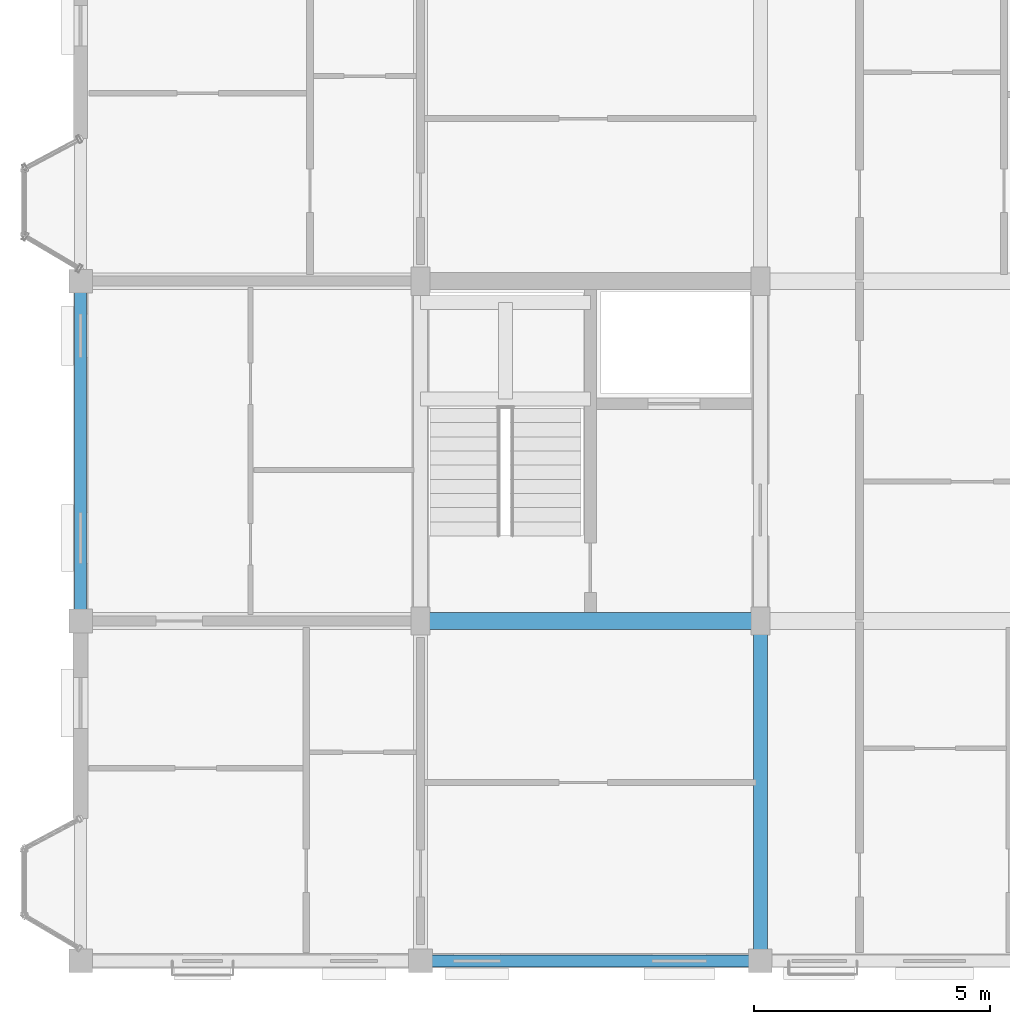
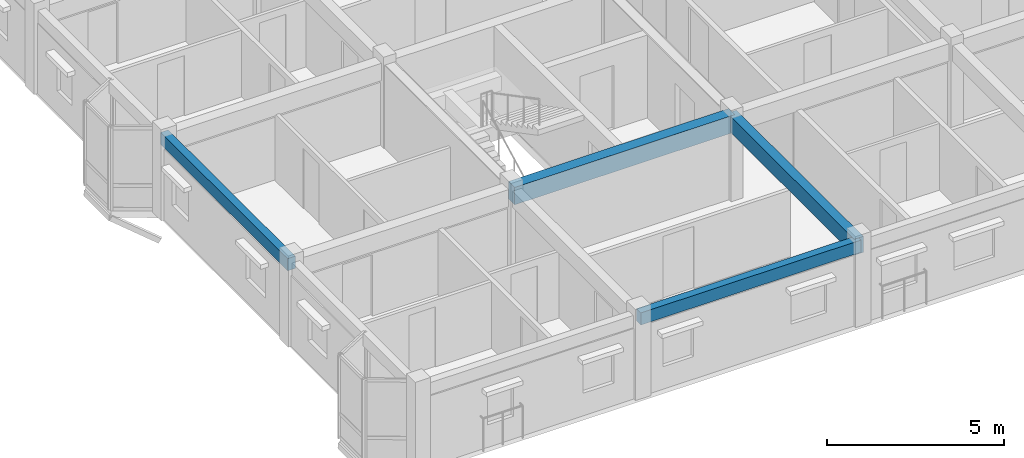
# One storey, part 4 of 64: 4 beams.
"""IFC4 building model written with IfcOpenShell, lengths in metres."""

import ifcopenshell
import ifcopenshell.guid

model = None  # the IFC model being written
_history = None  # IfcOwnerHistory: only IFC2X3 demands one
_inside = {}  # id of a spatial element -> (the spatial element, [elements in it])
_under = {}  # id of a project, library or spatial element -> (it, [spatial elements below it])
_declared = {}  # id of a project -> (the project, [libraries it declares])
_typed = {}  # id of a type object -> (the type object, [elements of that type])
_made_of = {}  # id of a material, layer set ... -> (it, [elements and type objects made of it])


def new_model(schema):
    """Start an empty IFC model of exactly this schema.

    Asked for "IFC4X3", IfcOpenShell would pick the latest addendum, in which some entities
    have other attributes; the version numbers below select the first issue.
    IFC2X3 requires an IfcOwnerHistory on every rooted entity: one is made here for all.
    """
    global model, _history
    if schema == "IFC4X3":
        model = ifcopenshell.file(schema_version=(4, 3, 0, 0))
    else:
        model = ifcopenshell.file(schema=schema)
    _inside.clear()
    _under.clear()
    _declared.clear()
    _typed.clear()
    _made_of.clear()
    _history = None
    if model.schema == "IFC2X3":
        org = make("IfcOrganization", Name="unknown")
        user = make(
            "IfcPersonAndOrganization",
            ThePerson=make("IfcPerson", FamilyName="unknown"),
            TheOrganization=org,
        )
        app = make(
            "IfcApplication",
            ApplicationDeveloper=org,
            Version="unknown",
            ApplicationFullName="unknown",
            ApplicationIdentifier="unknown",
        )
        _history = make(
            "IfcOwnerHistory",
            OwningUser=user,
            OwningApplication=app,
            ChangeAction="ADDED",
            CreationDate=0,
        )
    return model


def make(cls, **values):
    """One entity of the class cls with the attributes given. An attribute that is None is left unset."""
    return model.create_entity(
        cls, **{name: value for name, value in values.items() if value is not None}
    )


def rooted(cls, **values):
    """An entity with a GlobalId (a new one), such as an element, a storey or a relation."""
    return make(cls, GlobalId=ifcopenshell.guid.new(), OwnerHistory=_history, **values)


def si_unit(unit_type, name, prefix=None):
    """IfcSIUnit, for example si_unit("LENGTHUNIT", "METRE", prefix="MILLI")."""
    return make("IfcSIUnit", UnitType=unit_type, Prefix=prefix, Name=name)


def assignment(units):
    """IfcUnitAssignment: the units of a project."""
    return None if units is None else make("IfcUnitAssignment", Units=units)


def point(xyz):
    """IfcCartesianPoint."""
    return None if xyz is None else make("IfcCartesianPoint", Coordinates=xyz)


def direction(xyz):
    """IfcDirection."""
    return None if xyz is None else make("IfcDirection", DirectionRatios=xyz)


def frame(location, z_axis=None, x_axis=None):
    """IfcAxis2Placement3D, a coordinate frame: its origin and axes. An axis left out is left unset."""
    return make(
        "IfcAxis2Placement3D",
        Location=point(location),
        Axis=direction(z_axis),
        RefDirection=direction(x_axis),
    )


def frame_2d(location, x_axis=None):
    """IfcAxis2Placement2D, a coordinate frame in the plane: its origin and x axis."""
    return make(
        "IfcAxis2Placement2D", Location=point(location), RefDirection=direction(x_axis)
    )


def origin():
    """The frame at (0, 0, 0) with its axes left unset."""
    return frame((0.0, 0.0, 0.0))


def origin_2d():
    """The frame at (0, 0) in the plane with its x axis left unset."""
    return frame_2d((0.0, 0.0))


def place(relative_to, where):
    """IfcLocalPlacement: puts the frame where relative to a parent placement (None: the world)."""
    return make(
        "IfcLocalPlacement", PlacementRelTo=relative_to, RelativePlacement=where
    )


def context(
    kind, dimensions, precision=None, world=None, true_north=None, identifier=None
):
    """IfcGeometricRepresentationContext, for example the 3D "Model" context."""
    return make(
        "IfcGeometricRepresentationContext",
        ContextIdentifier=identifier,
        ContextType=kind,
        CoordinateSpaceDimension=dimensions,
        Precision=precision,
        WorldCoordinateSystem=world,
        TrueNorth=true_north,
    )


def subcontext(parent, identifier, kind, view, scale=None):
    """IfcGeometricRepresentationSubContext, for example "Body" below "Model"."""
    return make(
        "IfcGeometricRepresentationSubContext",
        ContextIdentifier=identifier,
        ContextType=kind,
        ParentContext=parent,
        TargetScale=scale,
        TargetView=view,
    )


def project(units=None, contexts=None):
    """IfcProject with its units and contexts."""
    return rooted(
        "IfcProject",
        Name="project",
        RepresentationContexts=contexts,
        UnitsInContext=assignment(units),
    )


def spatial(cls, under=None, at=None, **own):
    """A site, building, storey or space (cls), placed at a placement, below another one or the project."""
    s = rooted(cls, ObjectPlacement=at, **own)
    if under is not None:
        _under.setdefault(under.id(), (under, []))[1].append(s)
    return s


def profile(cls, at=None, kind="AREA", **sizes):
    """A parametric profile (cls). Its sizes go by their IFC names, for example OverallWidth=200.0."""
    return make(cls, ProfileType=kind, Position=at, **sizes)


def rectangle(**sizes):
    """IfcRectangleProfileDef."""
    return profile("IfcRectangleProfileDef", **sizes)


def extrude(swept, where, along, depth):
    """IfcExtrudedAreaSolid: the profile swept, set in the frame where, extruded along a direction by depth."""
    return make(
        "IfcExtrudedAreaSolid",
        SweptArea=swept,
        Position=where,
        ExtrudedDirection=direction(along),
        Depth=depth,
    )


def shape(context_of_items, identifier, shape_type, items):
    """IfcShapeRepresentation: the items that make up one representation, for example the "Body"."""
    return make(
        "IfcShapeRepresentation",
        ContextOfItems=context_of_items,
        RepresentationIdentifier=identifier,
        RepresentationType=shape_type,
        Items=items,
    )


def material(Name=None, Category=None):
    """IfcMaterial."""
    return make("IfcMaterial", Name=Name, Category=Category)


def material_profile(
    of_material, cross_section, Name=None, Category=None, Priority=None
):
    """IfcMaterialProfile: a cross section and its material."""
    return make(
        "IfcMaterialProfile",
        Name=Name,
        Material=of_material,
        Profile=cross_section,
        Priority=Priority,
        Category=Category,
    )


def profile_set(profiles, Name=None, composite=None):
    """IfcMaterialProfileSet."""
    return make(
        "IfcMaterialProfileSet",
        Name=Name,
        MaterialProfiles=profiles,
        CompositeProfile=composite,
    )


def made_of(thing, what):
    """Note that an element or type object is made of a material, layer set ...; save() writes the relation."""
    if what is not None:
        _made_of.setdefault(what.id(), (what, []))[1].append(thing)
    return thing


def type_object(cls, material=None, **own):
    """A type object (cls), such as IfcWallType, which elements share."""
    return made_of(rooted(cls, **own), material)


def element(
    cls,
    number,
    at=None,
    inside=None,
    cuts=None,
    type_object=None,
    material=None,
    context=None,
    identifier="Body",
    shape_type=None,
    held_by="IfcProductDefinitionShape",
    body=None,
    shapes=None,
    **own,
):
    """One element of the class cls, such as IfcWall. Its Tag is "e" and its number.

    at: its placement. inside: the storey or other place that contains it. cuts: it is an
    opening in that element (IfcRelVoidsElement). A single representation is given by context,
    identifier, shape_type and body (its items); several are given by shapes. held_by: the class
    of the entity that holds the representations. save() writes the other relations.
    """
    e = rooted(cls, Tag="e%d" % number, ObjectPlacement=at, **own)
    if body is not None:
        shapes = [shape(context, identifier, shape_type, body)]
    if shapes is not None:
        e.Representation = make(held_by, Representations=shapes)
    if inside is not None:
        _inside.setdefault(inside.id(), (inside, []))[1].append(e)
    if cuts is not None:
        rooted(
            "IfcRelVoidsElement", RelatingBuildingElement=cuts, RelatedOpeningElement=e
        )
    if type_object is not None:
        _typed.setdefault(type_object.id(), (type_object, []))[1].append(e)
    return made_of(e, material)


def aggregate(whole, parts):
    """IfcRelAggregates: a whole, such as a stair, and the parts it consists of."""
    return rooted("IfcRelAggregates", RelatingObject=whole, RelatedObjects=parts)


def save(model, path):
    """Write the relations noted so far, then the file.

    IfcRelAggregates (storeys below a building ...), IfcRelContainedInSpatialStructure (elements
    in a storey), IfcRelDefinesByType, IfcRelAssociatesMaterial and IfcRelDeclares: one each for
    every whole, place, type object, material and project.
    """
    for whole, parts in _under.values():
        aggregate(whole, parts)
    for where, things in _inside.values():
        rooted(
            "IfcRelContainedInSpatialStructure",
            RelatedElements=things,
            RelatingStructure=where,
        )
    for kind, things in _typed.values():
        rooted("IfcRelDefinesByType", RelatedObjects=things, RelatingType=kind)
    for what, things in _made_of.values():
        rooted("IfcRelAssociatesMaterial", RelatedObjects=things, RelatingMaterial=what)
    for by, libraries in _declared.values():
        rooted("IfcRelDeclares", RelatingContext=by, RelatedDefinitions=libraries)
    model.write(path)


model = new_model("IFC4")

# Units and contexts
model_context = context("Model", 3, precision=1e-05, world=origin(), true_north=direction((0.0, 1.0)))
body_context = subcontext(model_context, "Body", "Model", "MODEL_VIEW")
ifc_project = project(units=[si_unit("LENGTHUNIT", "METRE"), si_unit("AREAUNIT", "SQUARE_METRE"), si_unit("VOLUMEUNIT", "CUBIC_METRE"), si_unit("PLANEANGLEUNIT", "RADIAN"), si_unit("MASSUNIT", "GRAM", prefix="KILO"), si_unit("THERMODYNAMICTEMPERATUREUNIT", "KELVIN"), si_unit("POWERUNIT", "WATT")], contexts=[model_context])

# Site, building, storey
site_placement = place(None, origin())
site = spatial("IfcSite", under=ifc_project, at=site_placement, CompositionType="ELEMENT")
building_placement = place(site_placement, origin())
building = spatial("IfcBuilding", under=site, at=building_placement, Name="Tavuni Mirador Residences", CompositionType="ELEMENT")
storey_placement = place(building_placement, frame((0.0, 0.0, 26.550048828125)))
storey = spatial("IfcBuildingStorey", under=building, at=storey_placement, Name="L08", CompositionType="ELEMENT", Elevation=26.550048828125)

# Beams
ifc_material = material(Name="Precast concrete C40/50", Category="concrete")
ifc_material_profile_1 = material_profile(ifc_material, rectangle(XDim=0.300048828125, YDim=0.550048828125, at=origin_2d()), Name="PC 300x550", Category="concrete")
ifc_profile_set_1 = profile_set([ifc_material_profile_1], Name="Precast concrete C40/50")
beam_type_1 = type_object("IfcBeamType", Name="BT-B550", PredefinedType="BEAM", material=ifc_profile_set_1)
beam_1_placement = place(storey_placement, frame((18.0, 7.199951171875, 2.594970703125), z_axis=(0.0, 1.0, 0.0), x_axis=(-1.0, 0.0, 0.0)))
element("IfcBeam", 1, at=beam_1_placement, inside=storey, type_object=beam_type_1, Name="BMY-BLK-A-L08-02-00", PredefinedType="BEAM", context=body_context, shape_type="SweptSolid", body=[
    extrude(rectangle(XDim=0.300048828125, YDim=0.550048828125, at=origin_2d()), origin(), (0.0, 0.0, 1.0), 7.199951171875),
])
ifc_material_profile_2 = material_profile(ifc_material, rectangle(XDim=0.35009765625, YDim=0.60009765625, at=origin_2d()), Name="PC 350x600", Category="concrete")
ifc_profile_set_2 = profile_set([ifc_material_profile_2], Name="Precast concrete C40/50")
beam_type_2 = type_object("IfcBeamType", Name="BT-B600", PredefinedType="BEAM", material=ifc_profile_set_2)
beam_2_placement = place(storey_placement, frame((10.800048828125, 14.39990234375, 2.570068359375), z_axis=(1.0, 0.0, 0.0), x_axis=(0.0, 1.0, 0.0)))
element("IfcBeam", 2, at=beam_2_placement, inside=storey, type_object=beam_type_2, Name="BMX-BLK-A-L08-01-01", PredefinedType="BEAM", context=body_context, shape_type="SweptSolid", body=[
    extrude(rectangle(XDim=0.35009765625, YDim=0.60009765625, at=origin_2d()), origin(), (0.0, 0.0, 1.0), 7.199951171875),
])
ifc_material_profile_3 = material_profile(ifc_material, rectangle(XDim=0.25, YDim=0.419921875, at=origin_2d()), Name="PC 250x420", Category="concrete")
ifc_profile_set_3 = profile_set([ifc_material_profile_3], Name="Precast concrete C40/50")
beam_type_3 = type_object("IfcBeamType", Name="BT-SP420", PredefinedType="SPANDREL", material=ifc_profile_set_3)
beam_3_placement = place(storey_placement, frame((10.800048828125, 7.199951171875, 2.659912109375), z_axis=(1.0, 0.0, 0.0), x_axis=(0.0, 1.0, 0.0)))
element("IfcBeam", 3, at=beam_3_placement, inside=storey, type_object=beam_type_3, Name="BMX-BLK-A-L08-01-00", PredefinedType="SPANDREL", context=body_context, shape_type="SweptSolid", body=[
    extrude(rectangle(XDim=0.25, YDim=0.419921875, at=origin_2d()), origin(), (0.0, 0.0, 1.0), 7.199951171875),
])
beam_4_placement = place(storey_placement, frame((3.60009765625, 14.39990234375, 2.659912109375), z_axis=(0.0, 1.0, 0.0), x_axis=(-1.0, 0.0, 0.0)))
element("IfcBeam", 4, at=beam_4_placement, inside=storey, type_object=beam_type_3, Name="BMY-BLK-A-L08-00-01", PredefinedType="SPANDREL", context=body_context, shape_type="SweptSolid", body=[
    extrude(rectangle(XDim=0.25, YDim=0.419921875, at=origin_2d()), origin(), (0.0, 0.0, 1.0), 7.2001953125),
])

save(model, "model.ifc")
